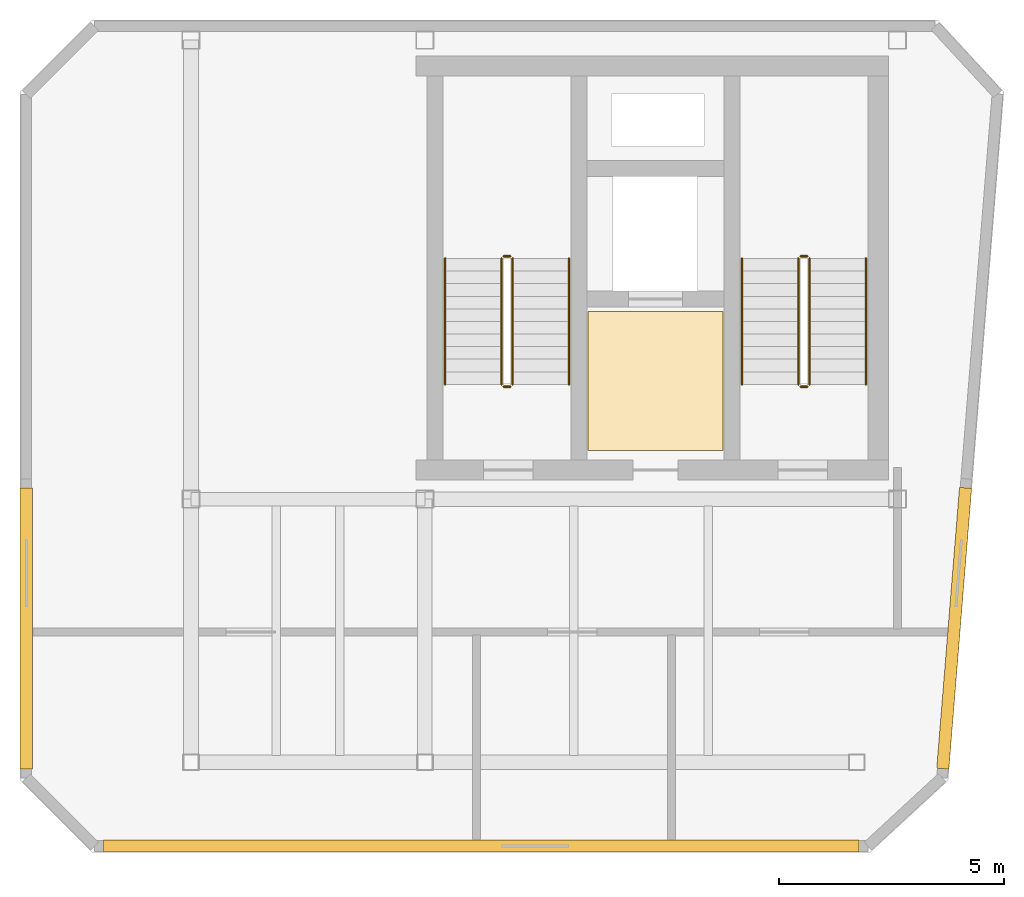
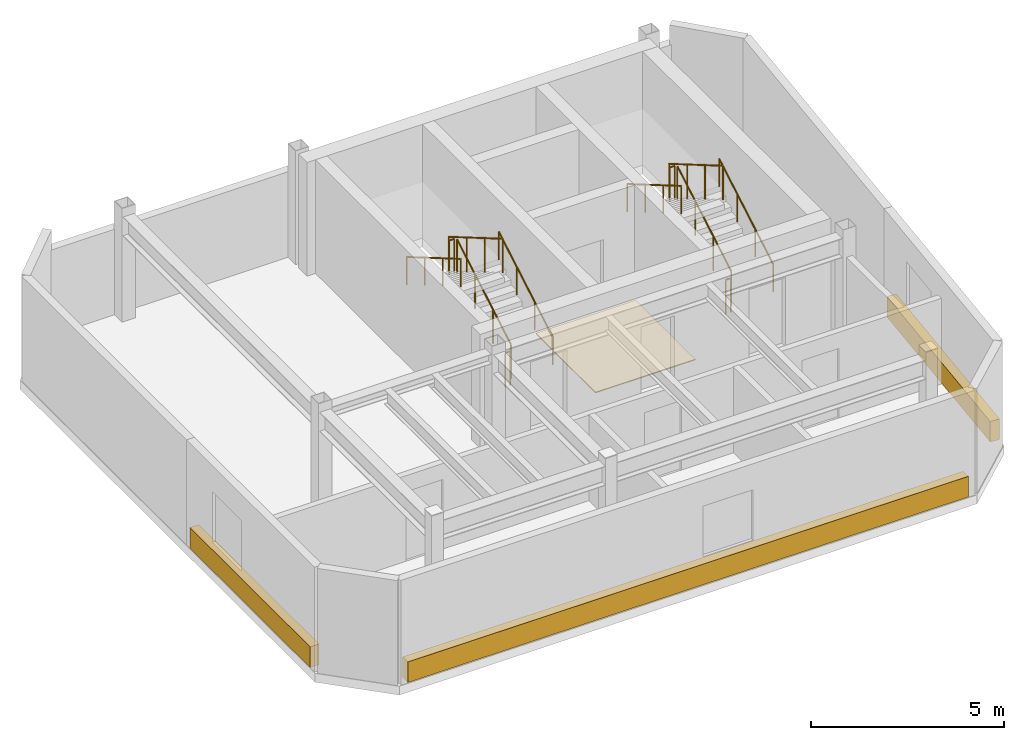
# One storey, part 3 of 3: 12 railings, 4 coverings.
"""IFC4 building model written with IfcOpenShell, lengths in metres."""

from ifc_helpers import new_model, si_unit, direction, frame, origin, origin_2d, place, context, subcontext, project, spatial, polyline, rectangle, circle, outline, extrude, material, layer, layer_set, type_object, element, save


model = new_model("IFC4")

# Units and contexts
model_context = context("Model", 3, precision=1e-05, world=origin(), true_north=direction((0.0, 1.0)))
body_context = subcontext(model_context, "Body", "Model", "MODEL_VIEW")
ifc_project = project(units=[si_unit("LENGTHUNIT", "METRE"), si_unit("AREAUNIT", "SQUARE_METRE"), si_unit("VOLUMEUNIT", "CUBIC_METRE"), si_unit("PLANEANGLEUNIT", "RADIAN"), si_unit("MASSUNIT", "GRAM", prefix="KILO")], contexts=[model_context])

# Site, building, storey
site_placement = place(None, origin())
site = spatial("IfcSite", under=ifc_project, at=site_placement, CompositionType="ELEMENT")
building_placement = place(site_placement, origin())
building = spatial("IfcBuilding", under=site, at=building_placement, Name="Kravanh Interchange Tower", CompositionType="ELEMENT")
storey_placement = place(building_placement, frame((0.0, 0.0, 326.39990234375)))
storey = spatial("IfcBuildingStorey", under=building, at=storey_placement, Name="L81", CompositionType="ELEMENT", Elevation=326.39990234375)

# Coverings
ifc_material_1 = material(Name="Anodised Champagne Bronze Aluminium", Category="aluminium")
ifc_layer_1 = layer(ifc_material_1, 0.02490234375)
ifc_layer_set_1 = layer_set([ifc_layer_1], Name="Anodised Bronze Spandrel Fascia Cladding 25mm")
covering_type_1 = type_object("IfcCoveringType", Name="Anodised Bronze Spandrel Fascia Cladding 25mm", PredefinedType="CLADDING", material=ifc_layer_set_1)
covering_1_placement = place(storey_placement, frame((47.139892578125, 34.47900390625, 0.025146484375), z_axis=(0.0, 0.0, 1.0), x_axis=(0.0, 1.0, 0.0)))
element("IfcCovering", 1, at=covering_1_placement, inside=storey, type_object=covering_type_1, Name="L81 Bronze Fascia Cladding 1", PredefinedType="CLADDING", context=body_context, shape_type="SweptSolid", body=[
    extrude(rectangle(XDim=6.241943359375, YDim=0.27001953125, at=origin_2d()), origin(), (0.0, 0.0, 1.0), 0.64990234375),
])
covering_2_placement = place(storey_placement, frame((67.76318359375, 34.480224609375, 0.025146484375), z_axis=(0.0, 0.0, 1.0), x_axis=(-0.080816917567, -0.996728963076, 0.0)))
element("IfcCovering", 2, at=covering_2_placement, inside=storey, type_object=covering_type_1, Name="L81 Bronze Fascia Cladding 7", PredefinedType="CLADDING", context=body_context, shape_type="SweptSolid", body=[
    extrude(rectangle(XDim=6.260986328125, YDim=0.27001953125, at=origin_2d()), origin(), (0.0, 0.0, 1.0), 0.64990234375),
])
covering_3_placement = place(storey_placement, frame((57.251708984375, 29.639892578125, 0.025146484375), z_axis=(0.0, 0.0, 1.0), x_axis=(-1.0, 0.0, 0.0)))
element("IfcCovering", 3, at=covering_3_placement, inside=storey, type_object=covering_type_1, Name="L81 Bronze Fascia Cladding 9", PredefinedType="CLADDING", context=body_context, shape_type="SweptSolid", body=[
    extrude(rectangle(XDim=16.787109375, YDim=0.27001953125, at=origin_2d()), origin(), (0.0, 0.0, 1.0), 0.64990234375),
])
ifc_material_2 = material(Name="Cementitious Terrazzo Tile")
ifc_layer_2 = layer(ifc_material_2, 0.030029296875)
ifc_layer_set_2 = layer_set([ifc_layer_2], Name="Honed Terrazzo Lobby Flooring 30mm")
covering_type_2 = type_object("IfcCoveringType", Name="Honed Terrazzo Lobby Flooring 30mm", PredefinedType="FLOORING", material=ifc_layer_set_2)
covering_4_placement = place(storey_placement, origin())
element("IfcCovering", 4, at=covering_4_placement, inside=storey, type_object=covering_type_2, Name="L81 Service Lift Lobby Floor Finish", PredefinedType="FLOORING", context=body_context, shape_type="SweptSolid", body=[
    extrude(outline(polyline([(59.6298828125, 41.52001953125), (62.6201171875, 41.52001953125), (62.6201171875, 38.429931640625), (59.6298828125, 38.429931640625), (59.6298828125, 41.52001953125)])), origin(), (0.0, 0.0, 1.0), 0.030029296875),
])

# Railings
ifc_material_3 = material(Name="Structural Steel S355", Category="steel")
ifc_layer_3 = layer(ifc_material_3, 0.050048828125)
ifc_layer_set_3 = layer_set([ifc_layer_3], Name="Stair Well Guardrail Structural Steel S355 1100mm")
railing_type_1 = type_object("IfcRailingType", Name="Stair Well Guardrail Structural Steel S355 1100mm", PredefinedType="GUARDRAIL", material=ifc_layer_set_3)
railing_1_placement = place(storey_placement, frame((64.550048828125, 39.89990234375, 0.163818359375)))
element("IfcRailing", 5, at=railing_1_placement, inside=storey, type_object=railing_type_1, Name="L81 ST1 stair guard 1", PredefinedType="GUARDRAIL", context=body_context, shape_type="SweptSolid", body=[
    extrude(circle(Radius=0.02392578125, at=origin_2d()), frame((0.0, 0.0, 1.076171875), z_axis=(0.0, 0.863393664356, 0.504530851732), x_axis=(-1.0, 0.0, 0.0)), (0.0, 0.0, 1.0), 3.2431640625),
    extrude(circle(Radius=0.02099609375, at=origin_2d()), origin(), (0.0, 0.0, 1.0), 1.052001953125),
    extrude(circle(Radius=0.02099609375, at=origin_2d()), frame((0.0, 0.933349609375, 0.54541015625)), (0.0, 0.0, 1.0), 1.052001953125),
    extrude(circle(Radius=0.02099609375, at=origin_2d()), frame((0.0, 1.86669921875, 1.0908203125)), (0.0, 0.0, 1.0), 1.052001953125),
    extrude(circle(Radius=0.02099609375, at=origin_2d()), frame((0.0, 2.800048828125, 1.63623046875)), (0.0, 0.0, 1.0), 1.052001953125),
])
railing_2_placement = place(storey_placement, frame((64.5, 42.75, 1.800048828125)))
element("IfcRailing", 6, at=railing_2_placement, inside=storey, type_object=railing_type_1, Name="L81 ST1 stair guard 2", PredefinedType="GUARDRAIL", context=body_context, shape_type="SweptSolid", body=[
    extrude(circle(Radius=0.02392578125, at=origin_2d()), frame((0.0, 0.0, 1.076171875), z_axis=(-1.0, 0.0, 0.0), x_axis=(0.0, -1.0, 0.0)), (0.0, 0.0, 1.0), 0.14990234375),
    extrude(circle(Radius=0.02099609375, at=origin_2d()), origin(), (0.0, 0.0, 1.0), 1.052001953125),
    extrude(circle(Radius=0.02099609375, at=origin_2d()), frame((-0.14990234375, 0.0, 0.0)), (0.0, 0.0, 1.0), 1.052001953125),
])
railing_3_placement = place(storey_placement, frame((64.300048828125, 42.699951171875, 1.963623046875)))
element("IfcRailing", 7, at=railing_3_placement, inside=storey, type_object=railing_type_1, Name="L81 ST1 stair guard 3", PredefinedType="GUARDRAIL", context=body_context, shape_type="SweptSolid", body=[
    extrude(circle(Radius=0.02392578125, at=origin_2d()), frame((0.0, 0.0, 1.076171875), z_axis=(0.0, -0.863360870873, 0.504586966384), x_axis=(1.0, 0.0, 0.0)), (0.0, 0.0, 1.0), 3.2431640625),
    extrude(circle(Radius=0.02099609375, at=origin_2d()), origin(), (0.0, 0.0, 1.0), 1.052001953125),
    extrude(circle(Radius=0.02099609375, at=origin_2d()), frame((0.0, -0.933349609375, 0.54541015625)), (0.0, 0.0, 1.0), 1.052001953125),
    extrude(circle(Radius=0.02099609375, at=origin_2d()), frame((0.0, -1.86669921875, 1.091064453125)), (0.0, 0.0, 1.0), 1.052001953125),
    extrude(circle(Radius=0.02099609375, at=origin_2d()), frame((0.0, -2.800048828125, 1.636474609375)), (0.0, 0.0, 1.0), 1.052001953125),
])
railing_4_placement = place(storey_placement, frame((64.5, 39.85009765625, 0.0)))
element("IfcRailing", 8, at=railing_4_placement, inside=storey, type_object=railing_type_1, Name="L81 ST1 stair guard 4", PredefinedType="GUARDRAIL", context=body_context, shape_type="SweptSolid", body=[
    extrude(circle(Radius=0.02392578125, at=origin_2d()), frame((0.0, 0.0, 1.076171875), z_axis=(-1.0, 0.0, 0.0), x_axis=(0.0, -1.0, 0.0)), (0.0, 0.0, 1.0), 0.14990234375),
    extrude(circle(Radius=0.02099609375, at=origin_2d()), origin(), (0.0, 0.0, 1.0), 1.052001953125),
    extrude(circle(Radius=0.02099609375, at=origin_2d()), frame((-0.14990234375, 0.0, 0.0)), (0.0, 0.0, 1.0), 1.052001953125),
])
railing_5_placement = place(storey_placement, frame((57.949951171875, 39.89990234375, 0.163818359375)))
element("IfcRailing", 9, at=railing_5_placement, inside=storey, type_object=railing_type_1, Name="L81 ST2 stair guard 1", PredefinedType="GUARDRAIL", context=body_context, shape_type="SweptSolid", body=[
    extrude(circle(Radius=0.02392578125, at=origin_2d()), frame((0.0, 0.0, 1.076171875), z_axis=(0.0, 0.863393664356, 0.504530851732), x_axis=(-1.0, 0.0, 0.0)), (0.0, 0.0, 1.0), 3.2431640625),
    extrude(circle(Radius=0.02099609375, at=origin_2d()), origin(), (0.0, 0.0, 1.0), 1.052001953125),
    extrude(circle(Radius=0.02099609375, at=origin_2d()), frame((0.0, 0.933349609375, 0.54541015625)), (0.0, 0.0, 1.0), 1.052001953125),
    extrude(circle(Radius=0.02099609375, at=origin_2d()), frame((0.0, 1.86669921875, 1.0908203125)), (0.0, 0.0, 1.0), 1.052001953125),
    extrude(circle(Radius=0.02099609375, at=origin_2d()), frame((0.0, 2.800048828125, 1.63623046875)), (0.0, 0.0, 1.0), 1.052001953125),
])
railing_6_placement = place(storey_placement, frame((57.89990234375, 42.75, 1.800048828125)))
element("IfcRailing", 10, at=railing_6_placement, inside=storey, type_object=railing_type_1, Name="L81 ST2 stair guard 2", PredefinedType="GUARDRAIL", context=body_context, shape_type="SweptSolid", body=[
    extrude(circle(Radius=0.02392578125, at=origin_2d()), frame((0.0, 0.0, 1.076171875), z_axis=(-1.0, 0.0, 0.0), x_axis=(0.0, -1.0, 0.0)), (0.0, 0.0, 1.0), 0.14990234375),
    extrude(circle(Radius=0.02099609375, at=origin_2d()), origin(), (0.0, 0.0, 1.0), 1.052001953125),
    extrude(circle(Radius=0.02099609375, at=origin_2d()), frame((-0.14990234375, 0.0, 0.0)), (0.0, 0.0, 1.0), 1.052001953125),
])
railing_7_placement = place(storey_placement, frame((57.699951171875, 42.699951171875, 1.963623046875)))
element("IfcRailing", 11, at=railing_7_placement, inside=storey, type_object=railing_type_1, Name="L81 ST2 stair guard 3", PredefinedType="GUARDRAIL", context=body_context, shape_type="SweptSolid", body=[
    extrude(circle(Radius=0.02392578125, at=origin_2d()), frame((0.0, 0.0, 1.076171875), z_axis=(0.0, -0.863360870873, 0.504586966384), x_axis=(1.0, 0.0, 0.0)), (0.0, 0.0, 1.0), 3.2431640625),
    extrude(circle(Radius=0.02099609375, at=origin_2d()), origin(), (0.0, 0.0, 1.0), 1.052001953125),
    extrude(circle(Radius=0.02099609375, at=origin_2d()), frame((0.0, -0.933349609375, 0.54541015625)), (0.0, 0.0, 1.0), 1.052001953125),
    extrude(circle(Radius=0.02099609375, at=origin_2d()), frame((0.0, -1.86669921875, 1.091064453125)), (0.0, 0.0, 1.0), 1.052001953125),
    extrude(circle(Radius=0.02099609375, at=origin_2d()), frame((0.0, -2.800048828125, 1.636474609375)), (0.0, 0.0, 1.0), 1.052001953125),
])
railing_8_placement = place(storey_placement, frame((57.89990234375, 39.85009765625, 0.0)))
element("IfcRailing", 12, at=railing_8_placement, inside=storey, type_object=railing_type_1, Name="L81 ST2 stair guard 4", PredefinedType="GUARDRAIL", context=body_context, shape_type="SweptSolid", body=[
    extrude(circle(Radius=0.02392578125, at=origin_2d()), frame((0.0, 0.0, 1.076171875), z_axis=(-1.0, 0.0, 0.0), x_axis=(0.0, -1.0, 0.0)), (0.0, 0.0, 1.0), 0.14990234375),
    extrude(circle(Radius=0.02099609375, at=origin_2d()), origin(), (0.0, 0.0, 1.0), 1.052001953125),
    extrude(circle(Radius=0.02099609375, at=origin_2d()), frame((-0.14990234375, 0.0, 0.0)), (0.0, 0.0, 1.0), 1.052001953125),
])
ifc_material_4 = material(Name="Stainless Steel 304", Category="steel")
ifc_layer_4 = layer(ifc_material_4, 0.044921875)
ifc_layer_set_4 = layer_set([ifc_layer_4], Name="Tubular Stair Handrail Stainless 304 900mm")
railing_type_2 = type_object("IfcRailingType", Name="Tubular Stair Handrail Stainless 304 900mm", PredefinedType="HANDRAIL", material=ifc_layer_set_4)
railing_9_placement = place(storey_placement, frame((65.800048828125, 39.89990234375, 0.163818359375)))
element("IfcRailing", 13, at=railing_9_placement, inside=storey, type_object=railing_type_2, Name="L81 ST1 stair handrail 1", PredefinedType="HANDRAIL", context=body_context, shape_type="SweptSolid", body=[
    extrude(circle(Radius=0.02392578125, at=origin_2d()), frame((0.0, 0.0, 0.8759765625), z_axis=(0.0, 0.863393664356, 0.504530851732), x_axis=(-1.0, 0.0, 0.0)), (0.0, 0.0, 1.0), 3.2431640625),
    extrude(circle(Radius=0.02099609375, at=origin_2d()), origin(), (0.0, 0.0, 1.0), 0.851806640625),
    extrude(circle(Radius=0.02099609375, at=origin_2d()), frame((0.0, 0.933349609375, 0.54541015625)), (0.0, 0.0, 1.0), 0.851806640625),
    extrude(circle(Radius=0.02099609375, at=origin_2d()), frame((0.0, 1.86669921875, 1.0908203125)), (0.0, 0.0, 1.0), 0.851806640625),
    extrude(circle(Radius=0.02099609375, at=origin_2d()), frame((0.0, 2.800048828125, 1.63623046875)), (0.0, 0.0, 1.0), 0.851806640625),
])
railing_10_placement = place(storey_placement, frame((63.050048828125, 42.699951171875, 1.963623046875)))
element("IfcRailing", 14, at=railing_10_placement, inside=storey, type_object=railing_type_2, Name="L81 ST1 stair handrail 2", PredefinedType="HANDRAIL", context=body_context, shape_type="SweptSolid", body=[
    extrude(circle(Radius=0.02392578125, at=origin_2d()), frame((0.0, 0.0, 0.8759765625), z_axis=(0.0, -0.863360870873, 0.504586966384), x_axis=(1.0, 0.0, 0.0)), (0.0, 0.0, 1.0), 3.2431640625),
    extrude(circle(Radius=0.02099609375, at=origin_2d()), origin(), (0.0, 0.0, 1.0), 0.851806640625),
    extrude(circle(Radius=0.02099609375, at=origin_2d()), frame((0.0, -0.933349609375, 0.54541015625)), (0.0, 0.0, 1.0), 0.851806640625),
    extrude(circle(Radius=0.02099609375, at=origin_2d()), frame((0.0, -1.86669921875, 1.091064453125)), (0.0, 0.0, 1.0), 0.851806640625),
    extrude(circle(Radius=0.02099609375, at=origin_2d()), frame((0.0, -2.800048828125, 1.636474609375)), (0.0, 0.0, 1.0), 0.851806640625),
])
railing_11_placement = place(storey_placement, frame((59.199951171875, 39.89990234375, 0.163818359375)))
element("IfcRailing", 15, at=railing_11_placement, inside=storey, type_object=railing_type_2, Name="L81 ST2 stair handrail 1", PredefinedType="HANDRAIL", context=body_context, shape_type="SweptSolid", body=[
    extrude(circle(Radius=0.02392578125, at=origin_2d()), frame((0.0, 0.0, 0.8759765625), z_axis=(0.0, 0.863393664356, 0.504530851732), x_axis=(-1.0, 0.0, 0.0)), (0.0, 0.0, 1.0), 3.2431640625),
    extrude(circle(Radius=0.02099609375, at=origin_2d()), origin(), (0.0, 0.0, 1.0), 0.851806640625),
    extrude(circle(Radius=0.02099609375, at=origin_2d()), frame((0.0, 0.933349609375, 0.54541015625)), (0.0, 0.0, 1.0), 0.851806640625),
    extrude(circle(Radius=0.02099609375, at=origin_2d()), frame((0.0, 1.86669921875, 1.0908203125)), (0.0, 0.0, 1.0), 0.851806640625),
    extrude(circle(Radius=0.02099609375, at=origin_2d()), frame((0.0, 2.800048828125, 1.63623046875)), (0.0, 0.0, 1.0), 0.851806640625),
])
railing_12_placement = place(storey_placement, frame((56.449951171875, 42.699951171875, 1.963623046875)))
element("IfcRailing", 16, at=railing_12_placement, inside=storey, type_object=railing_type_2, Name="L81 ST2 stair handrail 2", PredefinedType="HANDRAIL", context=body_context, shape_type="SweptSolid", body=[
    extrude(circle(Radius=0.02392578125, at=origin_2d()), frame((0.0, 0.0, 0.8759765625), z_axis=(0.0, -0.863360870873, 0.504586966384), x_axis=(1.0, 0.0, 0.0)), (0.0, 0.0, 1.0), 3.2431640625),
    extrude(circle(Radius=0.02099609375, at=origin_2d()), origin(), (0.0, 0.0, 1.0), 0.851806640625),
    extrude(circle(Radius=0.02099609375, at=origin_2d()), frame((0.0, -0.933349609375, 0.54541015625)), (0.0, 0.0, 1.0), 0.851806640625),
    extrude(circle(Radius=0.02099609375, at=origin_2d()), frame((0.0, -1.86669921875, 1.091064453125)), (0.0, 0.0, 1.0), 0.851806640625),
    extrude(circle(Radius=0.02099609375, at=origin_2d()), frame((0.0, -2.800048828125, 1.636474609375)), (0.0, 0.0, 1.0), 0.851806640625),
])

save(model, "model.ifc")
